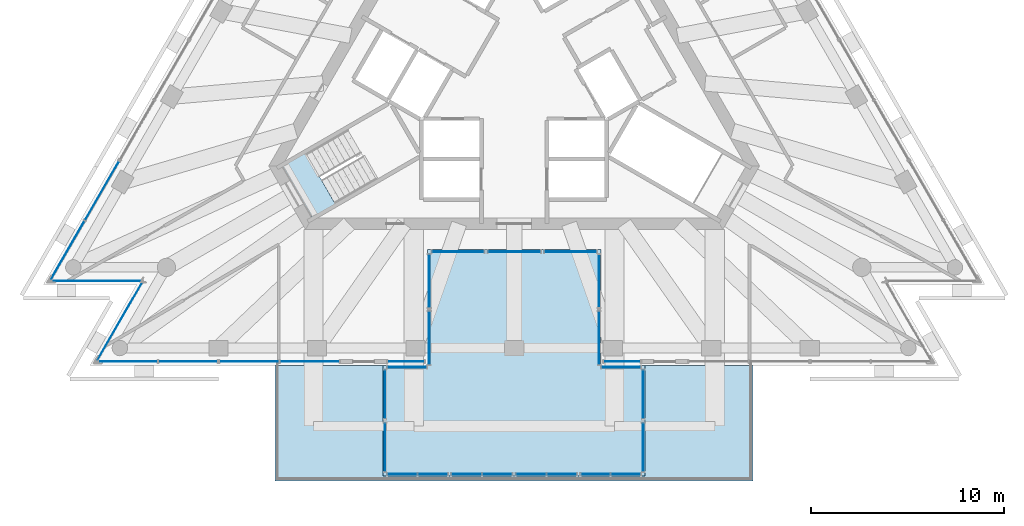
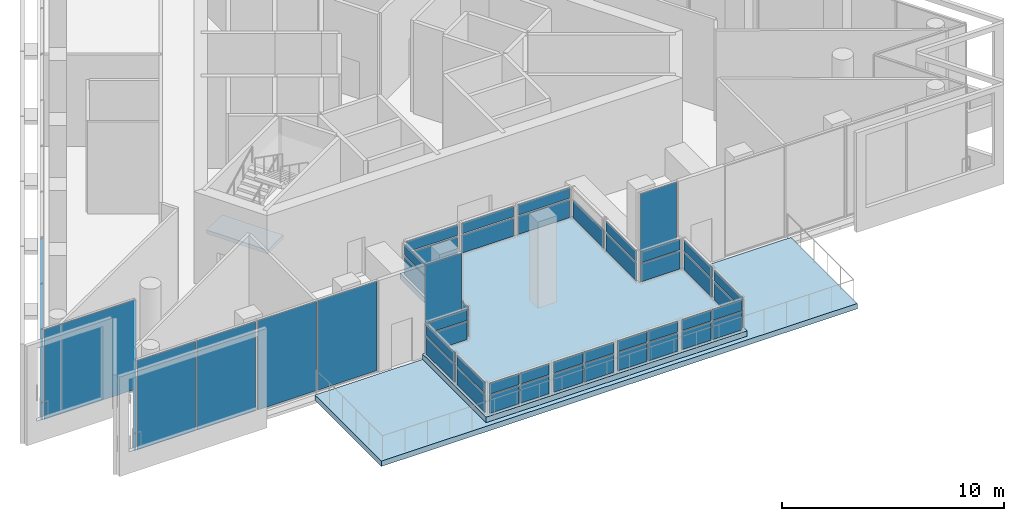
# One storey, part 10 of 17: 51 plates, 3 slabs, 25 elements without a shape of their own.
"""IFC4 building model written with IfcOpenShell, lengths in metres."""

from ifc_helpers import new_model, si_unit, direction, frame, origin, origin_2d, place, context, subcontext, project, spatial, polyline, rectangle, outline, extrude, material, layer, layer_set, layer_usage, type_object, element, aggregate, save


model = new_model("IFC4")

# Units and contexts
model_context = context("Model", 3, precision=1e-05, world=origin(), true_north=direction((0.0, 1.0)))
body_context = subcontext(model_context, "Body", "Model", "MODEL_VIEW")
ifc_project = project(units=[si_unit("LENGTHUNIT", "METRE"), si_unit("AREAUNIT", "SQUARE_METRE"), si_unit("VOLUMEUNIT", "CUBIC_METRE"), si_unit("PLANEANGLEUNIT", "RADIAN"), si_unit("MASSUNIT", "GRAM", prefix="KILO")], contexts=[model_context])

# Site, building, storey
site_placement = place(None, origin())
site = spatial("IfcSite", under=ifc_project, at=site_placement, CompositionType="ELEMENT")
building_placement = place(site_placement, origin())
building = spatial("IfcBuilding", under=site, at=building_placement, Name="Triada Interchange Tower", CompositionType="ELEMENT")
storey_placement = place(building_placement, frame((0.0, 0.0, 322.300048828125)))
storey = spatial("IfcBuildingStorey", under=building, at=storey_placement, Name="L77", CompositionType="ELEMENT", Elevation=322.300048828125)

# Curtain wall, plates
ifc_material_1 = material(Name="Aluminium framed glazing", Category="aluminium")
ifc_layer_1 = layer(ifc_material_1, 0.199951171875)
ifc_layer_set_1 = layer_set([ifc_layer_1], Name="Curtain wall Sky lobby glazing")
curtain_wall_type_1 = type_object("IfcCurtainWallType", Name="Curtain wall Sky lobby glazing", PredefinedType="NOTDEFINED", material=ifc_layer_set_1)
curtain_wall_1_placement = place(storey_placement, origin())
curtain_wall_1 = element("IfcCurtainWall", 1, at=curtain_wall_1_placement, inside=storey, type_object=curtain_wall_type_1, Name="Sky lobby glazing CW306 L77", PredefinedType="NOTDEFINED")
ifc_material_2 = material(Name="Insulated glazing unit", Category="glass")
ifc_layer_2 = layer(ifc_material_2, 0.028076171875)
ifc_layer_set_2 = layer_set([ifc_layer_2], Name="Glazing panel Sky lobby glazing 28")
plate_type_1 = type_object("IfcPlateType", Name="Glazing panel Sky lobby glazing 28", PredefinedType="CURTAIN_PANEL", material=ifc_layer_set_2)
plate_1_placement = place(storey_placement, frame((-21.3857421875, -6.439697265625, 0.06005859375), z_axis=(0.0, 0.0, 1.0), x_axis=(-0.49999828215, -0.866026395584, 0.0)))
plate_1 = element("IfcPlate", 2, at=plate_1_placement, type_object=plate_type_1, Name="CW306 panel 1.1", PredefinedType="CURTAIN_PANEL", context=body_context, shape_type="SweptSolid", body=[
    extrude(rectangle(XDim=3.51904296875, YDim=0.028076171875, at=origin_2d()), origin(), (0.0, 0.0, 1.0), 4.929931640625),
])
plate_2_placement = place(storey_placement, frame((-23.17529296875, -9.539306640625, 0.06005859375), z_axis=(0.0, 0.0, 1.0), x_axis=(-0.49999828215, -0.866026395584, 0.0)))
plate_2 = element("IfcPlate", 3, at=plate_2_placement, type_object=plate_type_1, Name="CW306 panel 2.1", PredefinedType="CURTAIN_PANEL", context=body_context, shape_type="SweptSolid", body=[
    extrude(rectangle(XDim=3.51904296875, YDim=0.028076171875, at=origin_2d()), origin(), (0.0, 0.0, 1.0), 4.929931640625),
])
aggregate(curtain_wall_1, [plate_1, plate_2])

curtain_wall_2_placement = place(storey_placement, origin())
curtain_wall_2 = element("IfcCurtainWall", 4, at=curtain_wall_2_placement, inside=storey, type_object=curtain_wall_type_1, Name="Sky lobby glazing CW309 L77", PredefinedType="NOTDEFINED")
plate_3_placement = place(storey_placement, frame((-20.027099609375, -15.300048828125, 0.06005859375), z_axis=(0.0, 0.0, 1.0), x_axis=(1.0, 0.0, 0.0)))
plate_3 = element("IfcPlate", 5, at=plate_3_placement, type_object=plate_type_1, Name="CW309 panel 1.1", PredefinedType="CURTAIN_PANEL", context=body_context, shape_type="SweptSolid", body=[
    extrude(rectangle(XDim=3.0419921875, YDim=0.028076171875, at=origin_2d()), origin(), (0.0, 0.0, 1.0), 4.929931640625),
])
plate_4_placement = place(storey_placement, frame((-16.925048828125, -15.300048828125, 0.06005859375), z_axis=(0.0, 0.0, 1.0), x_axis=(1.0, 0.0, 0.0)))
plate_4 = element("IfcPlate", 6, at=plate_4_placement, type_object=plate_type_1, Name="CW309 panel 2.1", PredefinedType="CURTAIN_PANEL", context=body_context, shape_type="SweptSolid", body=[
    extrude(rectangle(XDim=3.0419921875, YDim=0.028076171875, at=origin_2d()), origin(), (0.0, 0.0, 1.0), 4.929931640625),
])
aggregate(curtain_wall_2, [plate_3, plate_4])

curtain_wall_3_placement = place(storey_placement, origin())
curtain_wall_3 = element("IfcCurtainWall", 7, at=curtain_wall_3_placement, inside=storey, type_object=curtain_wall_type_1, Name="Sky lobby glazing CW310 L77", PredefinedType="NOTDEFINED")
plate_5_placement = place(storey_placement, frame((-13.738037109375, -15.300048828125, 0.06005859375), z_axis=(0.0, 0.0, 1.0), x_axis=(1.0, 0.0, 0.0)))
plate_5 = element("IfcPlate", 8, at=plate_5_placement, type_object=plate_type_1, Name="CW310 panel 1.1", PredefinedType="CURTAIN_PANEL", context=body_context, shape_type="SweptSolid", body=[
    extrude(rectangle(XDim=3.072021484375, YDim=0.028076171875, at=origin_2d()), origin(), (0.0, 0.0, 1.0), 4.929931640625),
])
plate_6_placement = place(storey_placement, frame((-10.60595703125, -15.300048828125, 0.06005859375), z_axis=(0.0, 0.0, 1.0), x_axis=(1.0, 0.0, 0.0)))
plate_6 = element("IfcPlate", 9, at=plate_6_placement, type_object=plate_type_1, Name="CW310 panel 2.1", PredefinedType="CURTAIN_PANEL", context=body_context, shape_type="SweptSolid", body=[
    extrude(rectangle(XDim=3.072021484375, YDim=0.028076171875, at=origin_2d()), origin(), (0.0, 0.0, 1.0), 4.929931640625),
])
aggregate(curtain_wall_3, [plate_5, plate_6])

# Curtain wall, plate
curtain_wall_4_placement = place(storey_placement, origin())
curtain_wall_4 = element("IfcCurtainWall", 10, at=curtain_wall_4_placement, inside=storey, type_object=curtain_wall_type_1, Name="Sky lobby glazing CW311 L77", PredefinedType="NOTDEFINED")
plate_7_placement = place(storey_placement, frame((-5.60498046875, -15.300048828125, 0.06005859375), z_axis=(0.0, 0.0, 1.0), x_axis=(1.0, 0.0, 0.0)))
plate_7 = element("IfcPlate", 11, at=plate_7_placement, type_object=plate_type_1, Name="CW311 panel 1.1", PredefinedType="CURTAIN_PANEL", context=body_context, shape_type="SweptSolid", body=[
    extrude(rectangle(XDim=1.889892578125, YDim=0.028076171875, at=origin_2d()), origin(), (0.0, 0.0, 1.0), 4.929931640625),
])
aggregate(curtain_wall_4, [plate_7])

curtain_wall_5_placement = place(storey_placement, origin())
curtain_wall_5 = element("IfcCurtainWall", 12, at=curtain_wall_5_placement, inside=storey, type_object=curtain_wall_type_1, Name="Sky lobby glazing CW312 L77", PredefinedType="NOTDEFINED")
plate_8_placement = place(storey_placement, frame((5.60498046875, -15.300048828125, 0.06005859375), z_axis=(0.0, 0.0, 1.0), x_axis=(1.0, 0.0, 0.0)))
plate_8 = element("IfcPlate", 13, at=plate_8_placement, type_object=plate_type_1, Name="CW312 panel 1.1", PredefinedType="CURTAIN_PANEL", context=body_context, shape_type="SweptSolid", body=[
    extrude(rectangle(XDim=1.889892578125, YDim=0.028076171875, at=origin_2d()), origin(), (0.0, 0.0, 1.0), 4.929931640625),
])
aggregate(curtain_wall_5, [plate_8])

# Curtain wall, plates
ifc_layer_3 = layer(ifc_material_1, 0.199951171875)
ifc_layer_set_3 = layer_set([ifc_layer_3], Name="Curtain wall Sky pool enclosure")
curtain_wall_type_2 = type_object("IfcCurtainWallType", Name="Curtain wall Sky pool enclosure", PredefinedType="NOTDEFINED", material=ifc_layer_set_3)
curtain_wall_6_placement = place(storey_placement, origin())
curtain_wall_6 = element("IfcCurtainWall", 14, at=curtain_wall_6_placement, inside=storey, type_object=curtain_wall_type_2, Name="Sky pool enclosure CW901 L77", PredefinedType="NOTDEFINED")
ifc_layer_4 = layer(ifc_material_2, 0.0439453125)
ifc_layer_set_4 = layer_set([ifc_layer_4], Name="Glazing panel Sky pool enclosure 44")
plate_type_2 = type_object("IfcPlateType", Name="Glazing panel Sky pool enclosure 44", PredefinedType="CURTAIN_PANEL", material=ifc_layer_set_4)
plate_9_placement = place(storey_placement, frame((4.39990234375, -14.0849609375, 0.3798828125), z_axis=(0.0, 0.0, 1.0), x_axis=(0.0, 1.0, 0.0)))
plate_9 = element("IfcPlate", 15, at=plate_9_placement, type_object=plate_type_2, Name="CW901 panel 1.1", PredefinedType="CURTAIN_PANEL", context=body_context, shape_type="SweptSolid", body=[
    extrude(rectangle(XDim=2.72998046875, YDim=0.0439453125, at=origin_2d()), origin(), (0.0, 0.0, 1.0), 0.97998046875),
])
plate_10_placement = place(storey_placement, frame((4.39990234375, -14.0849609375, 1.43994140625), z_axis=(0.0, 0.0, 1.0), x_axis=(0.0, 1.0, 0.0)))
plate_10 = element("IfcPlate", 16, at=plate_10_placement, type_object=plate_type_2, Name="CW901 panel 1.2", PredefinedType="CURTAIN_PANEL", context=body_context, shape_type="SweptSolid", body=[
    extrude(rectangle(XDim=2.72998046875, YDim=0.0439453125, at=origin_2d()), origin(), (0.0, 0.0, 1.0), 0.580078125),
])
aggregate(curtain_wall_6, [plate_9, plate_10])

# Curtain wall, plate
curtain_wall_7_placement = place(storey_placement, origin())
curtain_wall_7 = element("IfcCurtainWall", 17, at=curtain_wall_7_placement, inside=storey, type_object=curtain_wall_type_2, Name="Sky pool enclosure CW902 L77", PredefinedType="NOTDEFINED")
plate_11_placement = place(storey_placement, frame((4.39990234375, -11.114990234375, 0.3798828125), z_axis=(0.0, 0.0, 1.0), x_axis=(0.0, 1.0, 0.0)))
plate_11 = element("IfcPlate", 18, at=plate_11_placement, type_object=plate_type_2, Name="CW902 panel 1.1", PredefinedType="CURTAIN_PANEL", context=body_context, shape_type="SweptSolid", body=[
    extrude(rectangle(XDim=2.72998046875, YDim=0.0439453125, at=origin_2d()), origin(), (0.0, 0.0, 1.0), 0.97998046875),
])
aggregate(curtain_wall_7, [plate_11])

# Curtain wall, plates
curtain_wall_8_placement = place(storey_placement, origin())
curtain_wall_8 = element("IfcCurtainWall", 19, at=curtain_wall_8_placement, inside=storey, type_object=curtain_wall_type_2, Name="Sky pool enclosure CW903 L77", PredefinedType="NOTDEFINED")
plate_12_placement = place(storey_placement, frame((2.91845703125, -9.60009765625, 0.3798828125), z_axis=(0.0, 0.0, 1.0), x_axis=(-1.0, 0.0, 0.0)))
plate_12 = element("IfcPlate", 20, at=plate_12_placement, type_object=plate_type_2, Name="CW903 panel 1.1", PredefinedType="CURTAIN_PANEL", context=body_context, shape_type="SweptSolid", body=[
    extrude(rectangle(XDim=2.6630859375, YDim=0.0439453125, at=origin_2d()), origin(), (0.0, 0.0, 1.0), 0.97998046875),
])
plate_13_placement = place(storey_placement, frame((2.91845703125, -9.60009765625, 1.43994140625), z_axis=(0.0, 0.0, 1.0), x_axis=(-1.0, 0.0, 0.0)))
plate_13 = element("IfcPlate", 21, at=plate_13_placement, type_object=plate_type_2, Name="CW903 panel 1.2", PredefinedType="CURTAIN_PANEL", context=body_context, shape_type="SweptSolid", body=[
    extrude(rectangle(XDim=2.6630859375, YDim=0.0439453125, at=origin_2d()), origin(), (0.0, 0.0, 1.0), 0.580078125),
])
aggregate(curtain_wall_8, [plate_12, plate_13])

curtain_wall_9_placement = place(storey_placement, origin())
curtain_wall_9 = element("IfcCurtainWall", 22, at=curtain_wall_9_placement, inside=storey, type_object=curtain_wall_type_2, Name="Sky pool enclosure CW904 L77", PredefinedType="NOTDEFINED")
plate_14_placement = place(storey_placement, frame((0.0, -9.60009765625, 0.3798828125), z_axis=(0.0, 0.0, 1.0), x_axis=(-1.0, 0.0, 0.0)))
plate_14 = element("IfcPlate", 23, at=plate_14_placement, type_object=plate_type_2, Name="CW904 panel 1.1", PredefinedType="CURTAIN_PANEL", context=body_context, shape_type="SweptSolid", body=[
    extrude(rectangle(XDim=2.694091796875, YDim=0.0439453125, at=origin_2d()), origin(), (0.0, 0.0, 1.0), 0.97998046875),
])
plate_15_placement = place(storey_placement, frame((0.0, -9.60009765625, 1.43994140625), z_axis=(0.0, 0.0, 1.0), x_axis=(-1.0, 0.0, 0.0)))
plate_15 = element("IfcPlate", 24, at=plate_15_placement, type_object=plate_type_2, Name="CW904 panel 1.2", PredefinedType="CURTAIN_PANEL", context=body_context, shape_type="SweptSolid", body=[
    extrude(rectangle(XDim=2.694091796875, YDim=0.0439453125, at=origin_2d()), origin(), (0.0, 0.0, 1.0), 0.580078125),
])
aggregate(curtain_wall_9, [plate_14, plate_15])

curtain_wall_10_placement = place(storey_placement, origin())
curtain_wall_10 = element("IfcCurtainWall", 25, at=curtain_wall_10_placement, inside=storey, type_object=curtain_wall_type_2, Name="Sky pool enclosure CW905 L77", PredefinedType="NOTDEFINED")
plate_16_placement = place(storey_placement, frame((-2.91845703125, -9.60009765625, 0.3798828125), z_axis=(0.0, 0.0, 1.0), x_axis=(-1.0, 0.0, 0.0)))
plate_16 = element("IfcPlate", 26, at=plate_16_placement, type_object=plate_type_2, Name="CW905 panel 1.1", PredefinedType="CURTAIN_PANEL", context=body_context, shape_type="SweptSolid", body=[
    extrude(rectangle(XDim=2.6630859375, YDim=0.0439453125, at=origin_2d()), origin(), (0.0, 0.0, 1.0), 0.97998046875),
])
plate_17_placement = place(storey_placement, frame((-2.91845703125, -9.60009765625, 1.43994140625), z_axis=(0.0, 0.0, 1.0), x_axis=(-1.0, 0.0, 0.0)))
plate_17 = element("IfcPlate", 27, at=plate_17_placement, type_object=plate_type_2, Name="CW905 panel 1.2", PredefinedType="CURTAIN_PANEL", context=body_context, shape_type="SweptSolid", body=[
    extrude(rectangle(XDim=2.6630859375, YDim=0.0439453125, at=origin_2d()), origin(), (0.0, 0.0, 1.0), 0.580078125),
])
aggregate(curtain_wall_10, [plate_16, plate_17])

curtain_wall_11_placement = place(storey_placement, origin())
curtain_wall_11 = element("IfcCurtainWall", 28, at=curtain_wall_11_placement, inside=storey, type_object=curtain_wall_type_2, Name="Sky pool enclosure CW906 L77", PredefinedType="NOTDEFINED")
plate_18_placement = place(storey_placement, frame((-4.39990234375, -11.114990234375, 0.3798828125), z_axis=(0.0, 0.0, 1.0), x_axis=(0.0, -1.0, 0.0)))
plate_18 = element("IfcPlate", 29, at=plate_18_placement, type_object=plate_type_2, Name="CW906 panel 1.1", PredefinedType="CURTAIN_PANEL", context=body_context, shape_type="SweptSolid", body=[
    extrude(rectangle(XDim=2.72998046875, YDim=0.0439453125, at=origin_2d()), origin(), (0.0, 0.0, 1.0), 0.97998046875),
])
plate_19_placement = place(storey_placement, frame((-4.39990234375, -11.114990234375, 1.43994140625), z_axis=(0.0, 0.0, 1.0), x_axis=(0.0, -1.0, 0.0)))
plate_19 = element("IfcPlate", 30, at=plate_19_placement, type_object=plate_type_2, Name="CW906 panel 1.2", PredefinedType="CURTAIN_PANEL", context=body_context, shape_type="SweptSolid", body=[
    extrude(rectangle(XDim=2.72998046875, YDim=0.0439453125, at=origin_2d()), origin(), (0.0, 0.0, 1.0), 0.580078125),
])
aggregate(curtain_wall_11, [plate_18, plate_19])

curtain_wall_12_placement = place(storey_placement, origin())
curtain_wall_12 = element("IfcCurtainWall", 31, at=curtain_wall_12_placement, inside=storey, type_object=curtain_wall_type_2, Name="Sky pool enclosure CW907 L77", PredefinedType="NOTDEFINED")
plate_20_placement = place(storey_placement, frame((-4.39990234375, -14.0849609375, 0.3798828125), z_axis=(0.0, 0.0, 1.0), x_axis=(0.0, -1.0, 0.0)))
plate_20 = element("IfcPlate", 32, at=plate_20_placement, type_object=plate_type_2, Name="CW907 panel 1.1", PredefinedType="CURTAIN_PANEL", context=body_context, shape_type="SweptSolid", body=[
    extrude(rectangle(XDim=2.72998046875, YDim=0.0439453125, at=origin_2d()), origin(), (0.0, 0.0, 1.0), 0.97998046875),
])
plate_21_placement = place(storey_placement, frame((-4.39990234375, -14.0849609375, 1.43994140625), z_axis=(0.0, 0.0, 1.0), x_axis=(0.0, -1.0, 0.0)))
plate_21 = element("IfcPlate", 33, at=plate_21_placement, type_object=plate_type_2, Name="CW907 panel 1.2", PredefinedType="CURTAIN_PANEL", context=body_context, shape_type="SweptSolid", body=[
    extrude(rectangle(XDim=2.72998046875, YDim=0.0439453125, at=origin_2d()), origin(), (0.0, 0.0, 1.0), 0.580078125),
])
aggregate(curtain_wall_12, [plate_20, plate_21])

curtain_wall_13_placement = place(storey_placement, origin())
curtain_wall_13 = element("IfcCurtainWall", 34, at=curtain_wall_13_placement, inside=storey, type_object=curtain_wall_type_2, Name="Sky pool enclosure CW908 L77", PredefinedType="NOTDEFINED")
plate_22_placement = place(storey_placement, frame((-5.550048828125, -15.60009765625, 0.3798828125), z_axis=(0.0, 0.0, 1.0), x_axis=(-1.0, 0.0, 0.0)))
plate_22 = element("IfcPlate", 35, at=plate_22_placement, type_object=plate_type_2, Name="CW908 panel 1.1", PredefinedType="CURTAIN_PANEL", context=body_context, shape_type="SweptSolid", body=[
    extrude(rectangle(XDim=2.0, YDim=0.0439453125, at=origin_2d()), origin(), (0.0, 0.0, 1.0), 0.97998046875),
])
plate_23_placement = place(storey_placement, frame((-5.550048828125, -15.60009765625, 1.43994140625), z_axis=(0.0, 0.0, 1.0), x_axis=(-1.0, 0.0, 0.0)))
plate_23 = element("IfcPlate", 36, at=plate_23_placement, type_object=plate_type_2, Name="CW908 panel 1.2", PredefinedType="CURTAIN_PANEL", context=body_context, shape_type="SweptSolid", body=[
    extrude(rectangle(XDim=2.0, YDim=0.0439453125, at=origin_2d()), origin(), (0.0, 0.0, 1.0), 0.580078125),
])
aggregate(curtain_wall_13, [plate_22, plate_23])

curtain_wall_14_placement = place(storey_placement, origin())
curtain_wall_14 = element("IfcCurtainWall", 37, at=curtain_wall_14_placement, inside=storey, type_object=curtain_wall_type_2, Name="Sky pool enclosure CW909 L77", PredefinedType="NOTDEFINED")
plate_24_placement = place(storey_placement, frame((-6.699951171875, -17.00244140625, 0.3798828125), z_axis=(0.0, 0.0, 1.0), x_axis=(0.0, -1.0, 0.0)))
plate_24 = element("IfcPlate", 38, at=plate_24_placement, type_object=plate_type_2, Name="CW909 panel 1.1", PredefinedType="CURTAIN_PANEL", context=body_context, shape_type="SweptSolid", body=[
    extrude(rectangle(XDim=2.5048828125, YDim=0.0439453125, at=origin_2d()), origin(), (0.0, 0.0, 1.0), 0.97998046875),
])
plate_25_placement = place(storey_placement, frame((-6.699951171875, -17.00244140625, 1.43994140625), z_axis=(0.0, 0.0, 1.0), x_axis=(0.0, -1.0, 0.0)))
plate_25 = element("IfcPlate", 39, at=plate_25_placement, type_object=plate_type_2, Name="CW909 panel 1.2", PredefinedType="CURTAIN_PANEL", context=body_context, shape_type="SweptSolid", body=[
    extrude(rectangle(XDim=2.5048828125, YDim=0.0439453125, at=origin_2d()), origin(), (0.0, 0.0, 1.0), 0.580078125),
])
aggregate(curtain_wall_14, [plate_24, plate_25])

curtain_wall_15_placement = place(storey_placement, origin())
curtain_wall_15 = element("IfcCurtainWall", 40, at=curtain_wall_15_placement, inside=storey, type_object=curtain_wall_type_2, Name="Sky pool enclosure CW910 L77", PredefinedType="NOTDEFINED")
plate_26_placement = place(storey_placement, frame((-6.699951171875, -19.74755859375, 0.3798828125), z_axis=(0.0, 0.0, 1.0), x_axis=(0.0, -1.0, 0.0)))
plate_26 = element("IfcPlate", 41, at=plate_26_placement, type_object=plate_type_2, Name="CW910 panel 1.1", PredefinedType="CURTAIN_PANEL", context=body_context, shape_type="SweptSolid", body=[
    extrude(rectangle(XDim=2.5048828125, YDim=0.0439453125, at=origin_2d()), origin(), (0.0, 0.0, 1.0), 0.97998046875),
])
plate_27_placement = place(storey_placement, frame((-6.699951171875, -19.74755859375, 1.43994140625), z_axis=(0.0, 0.0, 1.0), x_axis=(0.0, -1.0, 0.0)))
plate_27 = element("IfcPlate", 42, at=plate_27_placement, type_object=plate_type_2, Name="CW910 panel 1.2", PredefinedType="CURTAIN_PANEL", context=body_context, shape_type="SweptSolid", body=[
    extrude(rectangle(XDim=2.5048828125, YDim=0.0439453125, at=origin_2d()), origin(), (0.0, 0.0, 1.0), 0.580078125),
])
aggregate(curtain_wall_15, [plate_26, plate_27])

curtain_wall_16_placement = place(storey_placement, origin())
curtain_wall_16 = element("IfcCurtainWall", 43, at=curtain_wall_16_placement, inside=storey, type_object=curtain_wall_type_2, Name="Sky pool enclosure CW911 L77", PredefinedType="NOTDEFINED")
plate_28_placement = place(storey_placement, frame((-5.800048828125, -21.14990234375, 0.3798828125), z_axis=(0.0, 0.0, 1.0), x_axis=(1.0, 0.0, 0.0)))
plate_28 = element("IfcPlate", 44, at=plate_28_placement, type_object=plate_type_2, Name="CW911 panel 1.1", PredefinedType="CURTAIN_PANEL", context=body_context, shape_type="SweptSolid", body=[
    extrude(rectangle(XDim=1.5, YDim=0.0439453125, at=origin_2d()), origin(), (0.0, 0.0, 1.0), 0.97998046875),
])
plate_29_placement = place(storey_placement, frame((-5.800048828125, -21.14990234375, 1.43994140625), z_axis=(0.0, 0.0, 1.0), x_axis=(1.0, 0.0, 0.0)))
plate_29 = element("IfcPlate", 45, at=plate_29_placement, type_object=plate_type_2, Name="CW911 panel 1.2", PredefinedType="CURTAIN_PANEL", context=body_context, shape_type="SweptSolid", body=[
    extrude(rectangle(XDim=1.5, YDim=0.0439453125, at=origin_2d()), origin(), (0.0, 0.0, 1.0), 0.580078125),
])
plate_30_placement = place(storey_placement, frame((-4.219970703125, -21.14990234375, 0.3798828125), z_axis=(0.0, 0.0, 1.0), x_axis=(1.0, 0.0, 0.0)))
plate_30 = element("IfcPlate", 46, at=plate_30_placement, type_object=plate_type_2, Name="CW911 panel 2.1", PredefinedType="CURTAIN_PANEL", context=body_context, shape_type="SweptSolid", body=[
    extrude(rectangle(XDim=1.5, YDim=0.0439453125, at=origin_2d()), origin(), (0.0, 0.0, 1.0), 0.97998046875),
])
plate_31_placement = place(storey_placement, frame((-4.219970703125, -21.14990234375, 1.43994140625), z_axis=(0.0, 0.0, 1.0), x_axis=(1.0, 0.0, 0.0)))
plate_31 = element("IfcPlate", 47, at=plate_31_placement, type_object=plate_type_2, Name="CW911 panel 2.2", PredefinedType="CURTAIN_PANEL", context=body_context, shape_type="SweptSolid", body=[
    extrude(rectangle(XDim=1.5, YDim=0.0439453125, at=origin_2d()), origin(), (0.0, 0.0, 1.0), 0.580078125),
])
aggregate(curtain_wall_16, [plate_28, plate_29, plate_30, plate_31])

curtain_wall_17_placement = place(storey_placement, origin())
curtain_wall_17 = element("IfcCurtainWall", 48, at=curtain_wall_17_placement, inside=storey, type_object=curtain_wall_type_2, Name="Sky pool enclosure CW912 L77", PredefinedType="NOTDEFINED")
plate_32_placement = place(storey_placement, frame((-2.472412109375, -21.14990234375, 0.3798828125), z_axis=(0.0, 0.0, 1.0), x_axis=(1.0, 0.0, 0.0)))
plate_32 = element("IfcPlate", 49, at=plate_32_placement, type_object=plate_type_2, Name="CW912 panel 1.1", PredefinedType="CURTAIN_PANEL", context=body_context, shape_type="SweptSolid", body=[
    extrude(rectangle(XDim=1.514892578125, YDim=0.0439453125, at=origin_2d()), origin(), (0.0, 0.0, 1.0), 0.97998046875),
])
plate_33_placement = place(storey_placement, frame((-2.472412109375, -21.14990234375, 1.43994140625), z_axis=(0.0, 0.0, 1.0), x_axis=(1.0, 0.0, 0.0)))
plate_33 = element("IfcPlate", 50, at=plate_33_placement, type_object=plate_type_2, Name="CW912 panel 1.2", PredefinedType="CURTAIN_PANEL", context=body_context, shape_type="SweptSolid", body=[
    extrude(rectangle(XDim=1.514892578125, YDim=0.0439453125, at=origin_2d()), origin(), (0.0, 0.0, 1.0), 0.580078125),
])
plate_34_placement = place(storey_placement, frame((-0.87744140625, -21.14990234375, 0.3798828125), z_axis=(0.0, 0.0, 1.0), x_axis=(1.0, 0.0, 0.0)))
plate_34 = element("IfcPlate", 51, at=plate_34_placement, type_object=plate_type_2, Name="CW912 panel 2.1", PredefinedType="CURTAIN_PANEL", context=body_context, shape_type="SweptSolid", body=[
    extrude(rectangle(XDim=1.514892578125, YDim=0.0439453125, at=origin_2d()), origin(), (0.0, 0.0, 1.0), 0.97998046875),
])
plate_35_placement = place(storey_placement, frame((-0.87744140625, -21.14990234375, 1.43994140625), z_axis=(0.0, 0.0, 1.0), x_axis=(1.0, 0.0, 0.0)))
plate_35 = element("IfcPlate", 52, at=plate_35_placement, type_object=plate_type_2, Name="CW912 panel 2.2", PredefinedType="CURTAIN_PANEL", context=body_context, shape_type="SweptSolid", body=[
    extrude(rectangle(XDim=1.514892578125, YDim=0.0439453125, at=origin_2d()), origin(), (0.0, 0.0, 1.0), 0.580078125),
])
aggregate(curtain_wall_17, [plate_32, plate_33, plate_34, plate_35])

curtain_wall_18_placement = place(storey_placement, origin())
curtain_wall_18 = element("IfcCurtainWall", 53, at=curtain_wall_18_placement, inside=storey, type_object=curtain_wall_type_2, Name="Sky pool enclosure CW913 L77", PredefinedType="NOTDEFINED")
plate_36_placement = place(storey_placement, frame((0.87744140625, -21.14990234375, 0.3798828125), z_axis=(0.0, 0.0, 1.0), x_axis=(1.0, 0.0, 0.0)))
plate_36 = element("IfcPlate", 54, at=plate_36_placement, type_object=plate_type_2, Name="CW913 panel 1.1", PredefinedType="CURTAIN_PANEL", context=body_context, shape_type="SweptSolid", body=[
    extrude(rectangle(XDim=1.514892578125, YDim=0.0439453125, at=origin_2d()), origin(), (0.0, 0.0, 1.0), 0.97998046875),
])
plate_37_placement = place(storey_placement, frame((0.87744140625, -21.14990234375, 1.43994140625), z_axis=(0.0, 0.0, 1.0), x_axis=(1.0, 0.0, 0.0)))
plate_37 = element("IfcPlate", 55, at=plate_37_placement, type_object=plate_type_2, Name="CW913 panel 1.2", PredefinedType="CURTAIN_PANEL", context=body_context, shape_type="SweptSolid", body=[
    extrude(rectangle(XDim=1.514892578125, YDim=0.0439453125, at=origin_2d()), origin(), (0.0, 0.0, 1.0), 0.580078125),
])
plate_38_placement = place(storey_placement, frame((2.472412109375, -21.14990234375, 0.3798828125), z_axis=(0.0, 0.0, 1.0), x_axis=(1.0, 0.0, 0.0)))
plate_38 = element("IfcPlate", 56, at=plate_38_placement, type_object=plate_type_2, Name="CW913 panel 2.1", PredefinedType="CURTAIN_PANEL", context=body_context, shape_type="SweptSolid", body=[
    extrude(rectangle(XDim=1.514892578125, YDim=0.0439453125, at=origin_2d()), origin(), (0.0, 0.0, 1.0), 0.97998046875),
])
plate_39_placement = place(storey_placement, frame((2.472412109375, -21.14990234375, 1.43994140625), z_axis=(0.0, 0.0, 1.0), x_axis=(1.0, 0.0, 0.0)))
plate_39 = element("IfcPlate", 57, at=plate_39_placement, type_object=plate_type_2, Name="CW913 panel 2.2", PredefinedType="CURTAIN_PANEL", context=body_context, shape_type="SweptSolid", body=[
    extrude(rectangle(XDim=1.514892578125, YDim=0.0439453125, at=origin_2d()), origin(), (0.0, 0.0, 1.0), 0.580078125),
])
aggregate(curtain_wall_18, [plate_36, plate_37, plate_38, plate_39])

curtain_wall_19_placement = place(storey_placement, origin())
curtain_wall_19 = element("IfcCurtainWall", 58, at=curtain_wall_19_placement, inside=storey, type_object=curtain_wall_type_2, Name="Sky pool enclosure CW914 L77", PredefinedType="NOTDEFINED")
plate_40_placement = place(storey_placement, frame((4.219970703125, -21.14990234375, 0.3798828125), z_axis=(0.0, 0.0, 1.0), x_axis=(1.0, 0.0, 0.0)))
plate_40 = element("IfcPlate", 59, at=plate_40_placement, type_object=plate_type_2, Name="CW914 panel 1.1", PredefinedType="CURTAIN_PANEL", context=body_context, shape_type="SweptSolid", body=[
    extrude(rectangle(XDim=1.5, YDim=0.0439453125, at=origin_2d()), origin(), (0.0, 0.0, 1.0), 0.97998046875),
])
plate_41_placement = place(storey_placement, frame((4.219970703125, -21.14990234375, 1.43994140625), z_axis=(0.0, 0.0, 1.0), x_axis=(1.0, 0.0, 0.0)))
plate_41 = element("IfcPlate", 60, at=plate_41_placement, type_object=plate_type_2, Name="CW914 panel 1.2", PredefinedType="CURTAIN_PANEL", context=body_context, shape_type="SweptSolid", body=[
    extrude(rectangle(XDim=1.5, YDim=0.0439453125, at=origin_2d()), origin(), (0.0, 0.0, 1.0), 0.580078125),
])
plate_42_placement = place(storey_placement, frame((5.800048828125, -21.14990234375, 0.3798828125), z_axis=(0.0, 0.0, 1.0), x_axis=(1.0, 0.0, 0.0)))
plate_42 = element("IfcPlate", 61, at=plate_42_placement, type_object=plate_type_2, Name="CW914 panel 2.1", PredefinedType="CURTAIN_PANEL", context=body_context, shape_type="SweptSolid", body=[
    extrude(rectangle(XDim=1.5, YDim=0.0439453125, at=origin_2d()), origin(), (0.0, 0.0, 1.0), 0.97998046875),
])
plate_43_placement = place(storey_placement, frame((5.800048828125, -21.14990234375, 1.43994140625), z_axis=(0.0, 0.0, 1.0), x_axis=(1.0, 0.0, 0.0)))
plate_43 = element("IfcPlate", 62, at=plate_43_placement, type_object=plate_type_2, Name="CW914 panel 2.2", PredefinedType="CURTAIN_PANEL", context=body_context, shape_type="SweptSolid", body=[
    extrude(rectangle(XDim=1.5, YDim=0.0439453125, at=origin_2d()), origin(), (0.0, 0.0, 1.0), 0.580078125),
])
aggregate(curtain_wall_19, [plate_40, plate_41, plate_42, plate_43])

curtain_wall_20_placement = place(storey_placement, origin())
curtain_wall_20 = element("IfcCurtainWall", 63, at=curtain_wall_20_placement, inside=storey, type_object=curtain_wall_type_2, Name="Sky pool enclosure CW915 L77", PredefinedType="NOTDEFINED")
plate_44_placement = place(storey_placement, frame((6.699951171875, -19.74755859375, 0.3798828125), z_axis=(0.0, 0.0, 1.0), x_axis=(0.0, 1.0, 0.0)))
plate_44 = element("IfcPlate", 64, at=plate_44_placement, type_object=plate_type_2, Name="CW915 panel 1.1", PredefinedType="CURTAIN_PANEL", context=body_context, shape_type="SweptSolid", body=[
    extrude(rectangle(XDim=2.5048828125, YDim=0.0439453125, at=origin_2d()), origin(), (0.0, 0.0, 1.0), 0.97998046875),
])
plate_45_placement = place(storey_placement, frame((6.699951171875, -19.74755859375, 1.43994140625), z_axis=(0.0, 0.0, 1.0), x_axis=(0.0, 1.0, 0.0)))
plate_45 = element("IfcPlate", 65, at=plate_45_placement, type_object=plate_type_2, Name="CW915 panel 1.2", PredefinedType="CURTAIN_PANEL", context=body_context, shape_type="SweptSolid", body=[
    extrude(rectangle(XDim=2.5048828125, YDim=0.0439453125, at=origin_2d()), origin(), (0.0, 0.0, 1.0), 0.580078125),
])
aggregate(curtain_wall_20, [plate_44, plate_45])

curtain_wall_21_placement = place(storey_placement, origin())
curtain_wall_21 = element("IfcCurtainWall", 66, at=curtain_wall_21_placement, inside=storey, type_object=curtain_wall_type_2, Name="Sky pool enclosure CW916 L77", PredefinedType="NOTDEFINED")
plate_46_placement = place(storey_placement, frame((6.699951171875, -17.00244140625, 0.3798828125), z_axis=(0.0, 0.0, 1.0), x_axis=(0.0, 1.0, 0.0)))
plate_46 = element("IfcPlate", 67, at=plate_46_placement, type_object=plate_type_2, Name="CW916 panel 1.1", PredefinedType="CURTAIN_PANEL", context=body_context, shape_type="SweptSolid", body=[
    extrude(rectangle(XDim=2.5048828125, YDim=0.0439453125, at=origin_2d()), origin(), (0.0, 0.0, 1.0), 0.97998046875),
])
plate_47_placement = place(storey_placement, frame((6.699951171875, -17.00244140625, 1.43994140625), z_axis=(0.0, 0.0, 1.0), x_axis=(0.0, 1.0, 0.0)))
plate_47 = element("IfcPlate", 68, at=plate_47_placement, type_object=plate_type_2, Name="CW916 panel 1.2", PredefinedType="CURTAIN_PANEL", context=body_context, shape_type="SweptSolid", body=[
    extrude(rectangle(XDim=2.5048828125, YDim=0.0439453125, at=origin_2d()), origin(), (0.0, 0.0, 1.0), 0.580078125),
])
aggregate(curtain_wall_21, [plate_46, plate_47])

curtain_wall_22_placement = place(storey_placement, origin())
curtain_wall_22 = element("IfcCurtainWall", 69, at=curtain_wall_22_placement, inside=storey, type_object=curtain_wall_type_2, Name="Sky pool enclosure CW917 L77", PredefinedType="NOTDEFINED")
plate_48_placement = place(storey_placement, frame((5.550048828125, -15.60009765625, 0.3798828125), z_axis=(0.0, 0.0, 1.0), x_axis=(-1.0, 0.0, 0.0)))
plate_48 = element("IfcPlate", 70, at=plate_48_placement, type_object=plate_type_2, Name="CW917 panel 1.1", PredefinedType="CURTAIN_PANEL", context=body_context, shape_type="SweptSolid", body=[
    extrude(rectangle(XDim=2.0, YDim=0.0439453125, at=origin_2d()), origin(), (0.0, 0.0, 1.0), 0.97998046875),
])
plate_49_placement = place(storey_placement, frame((5.550048828125, -15.60009765625, 1.43994140625), z_axis=(0.0, 0.0, 1.0), x_axis=(-1.0, 0.0, 0.0)))
plate_49 = element("IfcPlate", 71, at=plate_49_placement, type_object=plate_type_2, Name="CW917 panel 1.2", PredefinedType="CURTAIN_PANEL", context=body_context, shape_type="SweptSolid", body=[
    extrude(rectangle(XDim=2.0, YDim=0.0439453125, at=origin_2d()), origin(), (0.0, 0.0, 1.0), 0.580078125),
])
aggregate(curtain_wall_22, [plate_48, plate_49])

# Curtain wall, plate
ifc_layer_5 = layer(ifc_material_1, 0.199951171875)
ifc_layer_set_5 = layer_set([ifc_layer_5], Name="Curtain wall Winter garden glazing")
curtain_wall_type_3 = type_object("IfcCurtainWallType", Name="Curtain wall Winter garden glazing", PredefinedType="NOTDEFINED", material=ifc_layer_set_5)
curtain_wall_23_placement = place(storey_placement, origin())
curtain_wall_23 = element("IfcCurtainWall", 72, at=curtain_wall_23_placement, inside=storey, type_object=curtain_wall_type_3, Name="Winter garden glazing CW307 L77", PredefinedType="NOTDEFINED")
ifc_layer_6 = layer(ifc_material_2, 0.02392578125)
ifc_layer_set_6 = layer_set([ifc_layer_6], Name="Glazing panel Winter garden glazing 24")
plate_type_3 = type_object("IfcPlateType", Name="Glazing panel Winter garden glazing 24", PredefinedType="CURTAIN_PANEL", material=ifc_layer_set_6)
plate_50_placement = place(storey_placement, frame((-21.638427734375, -11.114990234375, 0.0498046875), z_axis=(0.0, 0.0, 1.0), x_axis=(1.0, 0.0, 0.0)))
plate_50 = element("IfcPlate", 73, at=plate_50_placement, type_object=plate_type_3, Name="CW307 panel 1.1", PredefinedType="CURTAIN_PANEL", context=body_context, shape_type="SweptSolid", body=[
    extrude(rectangle(XDim=4.673095703125, YDim=0.02392578125, at=origin_2d()), origin(), (0.0, 0.0, 1.0), 4.949951171875),
])
aggregate(curtain_wall_23, [plate_50])

curtain_wall_24_placement = place(storey_placement, origin())
curtain_wall_24 = element("IfcCurtainWall", 74, at=curtain_wall_24_placement, inside=storey, type_object=curtain_wall_type_3, Name="Winter garden glazing CW308 L77", PredefinedType="NOTDEFINED")
plate_51_placement = place(storey_placement, frame((-20.47509765625, -13.2333984375, 0.0498046875), z_axis=(0.0, 0.0, 1.0), x_axis=(-0.499970349967, -0.866042521562, 0.0)))
plate_51 = element("IfcPlate", 75, at=plate_51_placement, type_object=plate_type_3, Name="CW308 panel 1.1", PredefinedType="CURTAIN_PANEL", context=body_context, shape_type="SweptSolid", body=[
    extrude(rectangle(XDim=4.67236328125, YDim=0.02392578125, at=origin_2d()), origin(), (0.0, 0.0, 1.0), 4.949951171875),
])
aggregate(curtain_wall_24, [plate_51])

# Slabs
ifc_material_3 = material(Name="Ceramic tile")
ifc_layer_7 = layer(ifc_material_3, 0.014892578125, Name="Pool tile finish")
ifc_material_4 = material(Name="Bituminous membrane")
ifc_layer_8 = layer(ifc_material_4, 0.0048828125, Name="Waterproof membrane")
ifc_material_5 = material(Name="Screed CT-C25-F4")
ifc_layer_9 = layer(ifc_material_5, 0.0400390625, Name="Screed to falls")
ifc_material_6 = material(Name="Concrete C40/50", Category="concrete")
ifc_layer_10 = layer(ifc_material_6, 0.239990234375, Name="Reinforced concrete slab")
ifc_layer_set_7 = layer_set([ifc_layer_7, ifc_layer_8, ifc_layer_9, ifc_layer_10], Name="Pool basin slab 300")
ifc_layer_usage_1 = layer_usage(ifc_layer_set_7, "AXIS3", "POSITIVE", 0.0)
slab_type_1 = type_object("IfcSlabType", Name="Pool basin slab 300", PredefinedType="FLOOR", material=ifc_layer_set_7)
slab_1_placement = place(storey_placement, origin())
element("IfcSlab", 76, at=slab_1_placement, inside=storey, type_object=slab_type_1, material=ifc_layer_usage_1, Name="Pool basin slab", PredefinedType="FLOOR", context=body_context, shape_type="SweptSolid", body=[
    extrude(outline(polyline([(4.5, -15.5), (4.5, -9.5), (-4.5, -9.5), (-4.5, -15.5), (-6.800048828125, -15.5), (-6.800048828125, -21.25), (6.800048828125, -21.25), (6.800048828125, -15.5), (4.5, -15.5)])), origin(), (0.0, 0.0, 1.0), 0.300048828125),
])
ifc_material_7 = material(Name="Stone paving", Category="masonry")
ifc_layer_11 = layer(ifc_material_7, 0.030029296875, Name="Deck paving")
ifc_layer_12 = layer(ifc_material_4, 0.0048828125, Name="Waterproof membrane")
ifc_layer_13 = layer(ifc_material_5, 0.0400390625, Name="Screed to falls")
ifc_layer_14 = layer(ifc_material_6, 0.22509765625, Name="Reinforced concrete slab")
ifc_layer_set_8 = layer_set([ifc_layer_11, ifc_layer_12, ifc_layer_13, ifc_layer_14], Name="Pool deck slab 300")
ifc_layer_usage_2 = layer_usage(ifc_layer_set_8, "AXIS3", "POSITIVE", 0.0)
slab_type_2 = type_object("IfcSlabType", Name="Pool deck slab 300", PredefinedType="FLOOR", material=ifc_layer_set_8)
slab_2_placement = place(storey_placement, frame((0.0, 0.0, -0.300048828125)))
element("IfcSlab", 77, at=slab_2_placement, inside=storey, type_object=slab_type_2, material=ifc_layer_usage_2, Name="Pool deck slab", PredefinedType="FLOOR", context=body_context, shape_type="SweptSolid", body=[
    extrude(outline(polyline([(12.39990234375, -21.5), (12.39990234375, -15.5), (-12.39990234375, -15.5), (-12.39990234375, -21.5), (12.39990234375, -21.5)])), origin(), (0.0, 0.0, 1.0), 0.300048828125),
])

# Stair, slab
ifc_material_8 = material(Name="Concrete C35/45", Category="concrete")
stair_type = type_object("IfcStairType", Name="HALF TURN STAIR 1400", PredefinedType="HALF_TURN_STAIR", material=ifc_material_8)
stair_placement = place(storey_placement, origin())
stair = element("IfcStair", 78, at=stair_placement, inside=storey, type_object=stair_type, Name="Exit stair S77-2", PredefinedType="HALF_TURN_STAIR")
ifc_layer_15 = layer(ifc_material_8, 0.199951171875)
ifc_layer_set_9 = layer_set([ifc_layer_15], Name="STAIR LANDING 200")
slab_type_3 = type_object("IfcSlabType", Name="STAIR LANDING 200", PredefinedType="LANDING", material=ifc_layer_set_9)
slab_3_placement = place(storey_placement, frame((0.0, 0.0, 2.471435546875)))
slab_3 = element("IfcSlab", 79, at=slab_3_placement, type_object=slab_type_3, Name="S77-2 landing 3", PredefinedType="LANDING", context=body_context, shape_type="SweptSolid", body=[
    extrude(outline(polyline([(-10.845947265625, -4.4140625), (-12.05810546875, -5.114013671875), (-10.4580078125, -7.885986328125), (-9.24609375, -7.18603515625), (-10.845947265625, -4.4140625)])), origin(), (0.0, 0.0, 1.0), 0.199951171875),
])
aggregate(stair, [slab_3])

save(model, "model.ifc")
